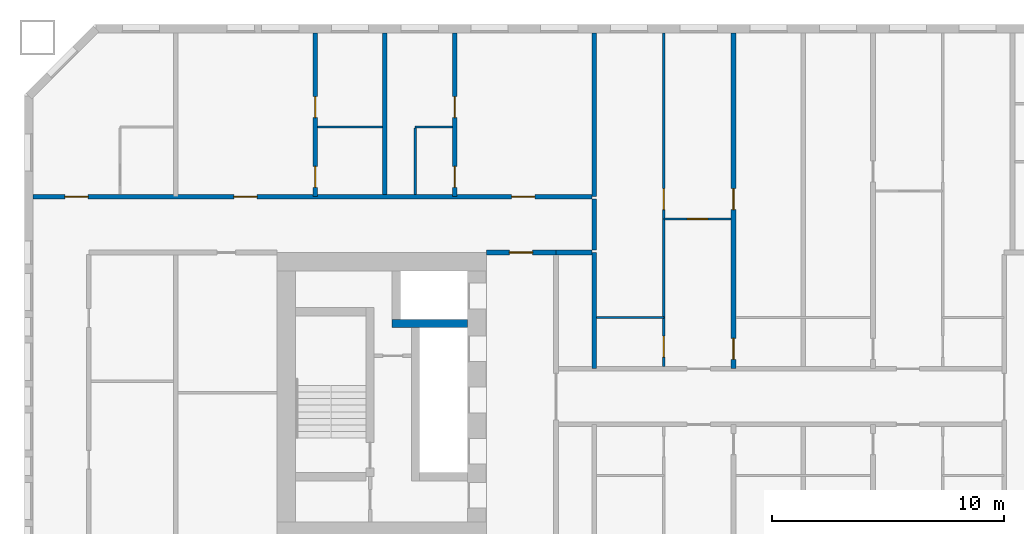
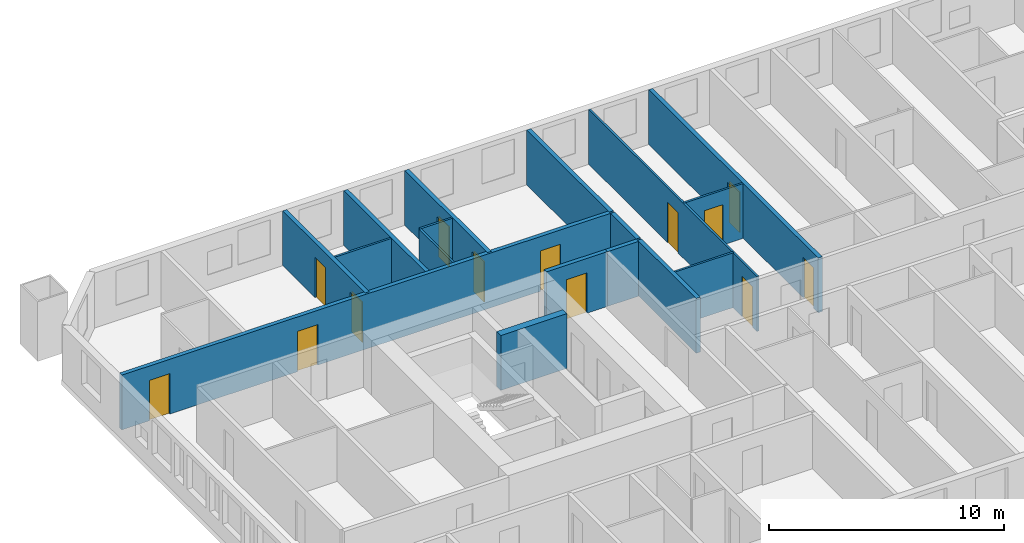
# One storey, part 5 of 17: 17 walls, 13 doors, 13 openings.
"""IFC4 building model written with IfcOpenShell, lengths in metres."""

from ifc_helpers import new_model, si_unit, direction, frame, frame_2d, origin, place, context, subcontext, project, spatial, rectangle, extrude, material, layer, layer_set, type_object, element, fill, save


model = new_model("IFC4")

# Units and contexts
model_context = context("Model", 3, precision=1e-05, world=origin(), true_north=direction((0.0, 1.0)))
body_context = subcontext(model_context, "Body", "Model", "MODEL_VIEW")
ifc_project = project(units=[si_unit("LENGTHUNIT", "METRE"), si_unit("AREAUNIT", "SQUARE_METRE"), si_unit("VOLUMEUNIT", "CUBIC_METRE"), si_unit("PLANEANGLEUNIT", "RADIAN"), si_unit("MASSUNIT", "GRAM", prefix="KILO")], contexts=[model_context])

# Site, building, storey
site_placement = place(None, origin())
site = spatial("IfcSite", under=ifc_project, at=site_placement, CompositionType="ELEMENT")
building_placement = place(site_placement, origin())
building = spatial("IfcBuilding", under=site, at=building_placement, Name="Tuart Gate Housing", CompositionType="ELEMENT")
storey_placement = place(building_placement, frame((0.0, 0.0, 47.39990234375)))
storey = spatial("IfcBuildingStorey", under=building, at=storey_placement, Name="L12", CompositionType="ELEMENT", Elevation=47.39990234375)

# Walls
ifc_material_1 = material(Name="Concrete C60", Category="concrete")
ifc_layer_1 = layer(ifc_material_1, 0.35009765625)
ifc_layer_set_1 = layer_set([ifc_layer_1], Name="Core wall 350 C60")
wall_type_1 = type_object("IfcWallType", Name="Core wall 350 C60", PredefinedType="SHEAR", material=ifc_layer_set_1)
wall_1_placement = place(storey_placement, frame((40.56005859375, 73.14990234375, 0.0), z_axis=(0.0, 0.0, 1.0), x_axis=(-1.0, 0.0, 0.0)))
element("IfcWall", 1, at=wall_1_placement, inside=storey, type_object=wall_type_1, Name="Core wall AK.2", PredefinedType="SHEAR", context=body_context, shape_type="SweptSolid", body=[
    extrude(rectangle(XDim=3.2451171875, YDim=0.35009765625, at=frame_2d((1.62255859375, 0.0))), origin(), (0.0, 0.0, 1.0), 2.85009765625),
])
ifc_material_2 = material(Name="Concrete masonry 15 MPa", Category="masonry")
ifc_layer_2 = layer(ifc_material_2, 0.199951171875)
ifc_layer_set_2 = layer_set([ifc_layer_2], Name="Corridor wall masonry 200")
wall_type_2 = type_object("IfcWallType", Name="Corridor wall masonry 200", PredefinedType="PARTITIONING", material=ifc_layer_set_2)
wall_2_placement = place(storey_placement, frame((44.360107421875, 76.199951171875, 0.0), z_axis=(0.0, 0.0, 1.0), x_axis=(1.0, 0.0, 0.0)))
element("IfcWall", 2, at=wall_2_placement, inside=storey, type_object=wall_type_2, Name="Corridor wall masonry 200", PredefinedType="PARTITIONING", context=body_context, shape_type="SweptSolid", body=[
    extrude(rectangle(XDim=1.539794921875, YDim=0.199951171875, at=frame_2d((0.77001953125, 0.0))), origin(), (0.0, 0.0, 1.0), 2.85009765625),
])

# Wall, openings, doors
wall_3_placement = place(storey_placement, frame((21.860107421875, 78.60009765625, 0.0), z_axis=(0.0, 0.0, 1.0), x_axis=(1.0, 0.0, 0.0)))
wall_3 = element("IfcWall", 3, at=wall_3_placement, inside=storey, type_object=wall_type_2, Name="Corridor wall masonry 200", PredefinedType="PARTITIONING", context=body_context, shape_type="SweptSolid", body=[
    extrude(rectangle(XDim=24.039794921875, YDim=0.199951171875, at=frame_2d((12.02001953125, 0.0))), origin(), (0.0, 0.0, 1.0), 2.85009765625),
])
opening_1_placement = place(wall_3_placement, frame((20.590087890625, 0.0, 0.0)))
opening_1 = element("IfcOpeningElement", 4, at=opening_1_placement, cuts=wall_3, Name="Opening D600", PredefinedType="OPENING", context=body_context, shape_type="SweptSolid", body=[
    extrude(rectangle(XDim=1.0, YDim=2.10009765625, at=frame_2d((0.5, 1.050048828125))), frame((0.0, 0.10986328125, 0.0), z_axis=(0.0, -1.0, 0.0), x_axis=(1.0, 0.0, 0.0)), (0.0, 0.0, 1.0), 0.219970703125),
])
opening_2_placement = place(wall_3_placement, frame((8.639892578125, 0.0, 0.0)))
opening_2 = element("IfcOpeningElement", 5, at=opening_2_placement, cuts=wall_3, Name="Opening D601", PredefinedType="OPENING", context=body_context, shape_type="SweptSolid", body=[
    extrude(rectangle(XDim=1.0, YDim=2.10009765625, at=frame_2d((0.5, 1.050048828125))), frame((0.0, 0.10986328125, 0.0), z_axis=(0.0, -1.0, 0.0), x_axis=(1.0, 0.0, 0.0)), (0.0, 0.0, 1.0), 0.219970703125),
])
opening_3_placement = place(wall_3_placement, frame((1.3701171875, 0.0, 0.0)))
opening_3 = element("IfcOpeningElement", 6, at=opening_3_placement, cuts=wall_3, Name="Opening D602", PredefinedType="OPENING", context=body_context, shape_type="SweptSolid", body=[
    extrude(rectangle(XDim=1.0, YDim=2.10009765625, at=frame_2d((0.5, 1.050048828125))), frame((0.0, 0.10986328125, 0.0), z_axis=(0.0, -1.0, 0.0), x_axis=(1.0, 0.0, 0.0)), (0.0, 0.0, 1.0), 0.219970703125),
])
ifc_material_3 = material(Name="Timber door leaf in steel frame", Category="steel")
door_type_1 = type_object("IfcDoorType", Name="Flat entrance door 1000", OperationType="SINGLE_SWING_LEFT", PredefinedType="DOOR", material=ifc_material_3)
door_1_placement = place(opening_1_placement, origin())
door_1 = element("IfcDoor", 7, at=door_1_placement, inside=storey, type_object=door_type_1, Name="Flat entrance door", OperationType="SINGLE_SWING_LEFT", OverallHeight=2.10009765625, OverallWidth=1.0, PredefinedType="DOOR", context=body_context, shape_type="SweptSolid", body=[
    extrude(rectangle(XDim=1.0, YDim=2.10009765625, at=frame_2d((0.5, 1.050048828125))), frame((0.0, 0.02490234375, 0.0), z_axis=(0.0, -1.0, 0.0), x_axis=(1.0, 0.0, 0.0)), (0.0, 0.0, 1.0), 0.050048828125),
])
fill(opening_1, door_1)
door_2_placement = place(opening_2_placement, origin())
door_2 = element("IfcDoor", 8, at=door_2_placement, inside=storey, type_object=door_type_1, Name="Flat entrance door", OperationType="SINGLE_SWING_LEFT", OverallHeight=2.10009765625, OverallWidth=1.0, PredefinedType="DOOR", context=body_context, shape_type="SweptSolid", body=[
    extrude(rectangle(XDim=1.0, YDim=2.10009765625, at=frame_2d((0.5, 1.050048828125))), frame((0.0, 0.02490234375, 0.0), z_axis=(0.0, -1.0, 0.0), x_axis=(1.0, 0.0, 0.0)), (0.0, 0.0, 1.0), 0.050048828125),
])
fill(opening_2, door_2)
door_3_placement = place(opening_3_placement, origin())
door_3 = element("IfcDoor", 9, at=door_3_placement, inside=storey, type_object=door_type_1, Name="Flat entrance door", OperationType="SINGLE_SWING_LEFT", OverallHeight=2.10009765625, OverallWidth=1.0, PredefinedType="DOOR", context=body_context, shape_type="SweptSolid", body=[
    extrude(rectangle(XDim=1.0, YDim=2.10009765625, at=frame_2d((0.5, 1.050048828125))), frame((0.0, 0.02490234375, 0.0), z_axis=(0.0, -1.0, 0.0), x_axis=(1.0, 0.0, 0.0)), (0.0, 0.0, 1.0), 0.050048828125),
])
fill(opening_3, door_3)

# Wall
wall_4_placement = place(storey_placement, frame((46.0, 76.300048828125, 0.0), z_axis=(0.0, 0.0, 1.0), x_axis=(0.0, 1.0, 0.0)))
element("IfcWall", 10, at=wall_4_placement, inside=storey, type_object=wall_type_2, Name="Corridor wall masonry 200", PredefinedType="PARTITIONING", context=body_context, shape_type="SweptSolid", body=[
    extrude(rectangle(XDim=2.199951171875, YDim=0.199951171875, at=frame_2d((1.10009765625, 0.0))), origin(), (0.0, 0.0, 1.0), 2.85009765625),
])

# Wall, opening, door
ifc_material_4 = material(Name="Concrete masonry 15 MPa", Category="masonry")
ifc_layer_3 = layer(ifc_material_4, 0.199951171875)
ifc_layer_set_3 = layer_set([ifc_layer_3], Name="Enclosure wall masonry 200")
wall_type_3 = type_object("IfcWallType", Name="Enclosure wall masonry 200", PredefinedType="PARTITIONING", material=ifc_layer_set_3)
wall_5_placement = place(storey_placement, frame((41.360107421875, 76.199951171875, 0.0), z_axis=(0.0, 0.0, 1.0), x_axis=(1.0, 0.0, 0.0)))
wall_5 = element("IfcWall", 11, at=wall_5_placement, inside=storey, type_object=wall_type_3, Name="Enclosure wall masonry 200", PredefinedType="PARTITIONING", context=body_context, shape_type="SweptSolid", body=[
    extrude(rectangle(XDim=3.0, YDim=0.199951171875, at=frame_2d((1.5, 0.0))), origin(), (0.0, 0.0, 1.0), 2.85009765625),
])
opening_4_placement = place(wall_5_placement, frame((1.0, 0.0, 0.0)))
opening_4 = element("IfcOpeningElement", 12, at=opening_4_placement, cuts=wall_5, Name="Opening D613", PredefinedType="OPENING", context=body_context, shape_type="SweptSolid", body=[
    extrude(rectangle(XDim=1.0, YDim=2.10009765625, at=frame_2d((0.5, 1.050048828125))), frame((0.0, 0.10986328125, 0.0), z_axis=(0.0, -1.0, 0.0), x_axis=(1.0, 0.0, 0.0)), (0.0, 0.0, 1.0), 0.219970703125),
])
ifc_material_5 = material(Name="Timber door leaf in steel frame", Category="steel")
door_type_2 = type_object("IfcDoorType", Name="Fire door 1000 RH", OperationType="SINGLE_SWING_RIGHT", PredefinedType="DOOR", material=ifc_material_5)
door_4_placement = place(opening_4_placement, origin())
door_4 = element("IfcDoor", 13, at=door_4_placement, inside=storey, type_object=door_type_2, Name="Fire door", OperationType="SINGLE_SWING_RIGHT", OverallHeight=2.10009765625, OverallWidth=1.0, PredefinedType="DOOR", context=body_context, shape_type="SweptSolid", body=[
    extrude(rectangle(XDim=1.0, YDim=2.10009765625, at=frame_2d((0.5, 1.050048828125))), frame((0.0, 0.02490234375, 0.0), z_axis=(0.0, -1.0, 0.0), x_axis=(1.0, 0.0, 0.0)), (0.0, 0.0, 1.0), 0.050048828125),
])
fill(opening_4, door_4)

# Wall
ifc_material_6 = material(Name="Gypsum board on steel studs", Category="steel")
ifc_layer_4 = layer(ifc_material_6, 0.10009765625)
ifc_layer_set_4 = layer_set([ifc_layer_4], Name="Partition 100")
wall_type_4 = type_object("IfcWallType", Name="Partition 100", PredefinedType="PARTITIONING", material=ifc_layer_set_4)
wall_6_placement = place(storey_placement, frame((46.10009765625, 73.39990234375, 0.0), z_axis=(0.0, 0.0, 1.0), x_axis=(1.0, 0.0, 0.0)))
element("IfcWall", 14, at=wall_6_placement, inside=storey, type_object=wall_type_4, Name="Partition 100", PredefinedType="PARTITIONING", context=body_context, shape_type="SweptSolid", body=[
    extrude(rectangle(XDim=2.89990234375, YDim=0.10009765625, at=frame_2d((1.449951171875, 0.0))), origin(), (0.0, 0.0, 1.0), 2.85009765625),
])

# Wall, opening, door
wall_7_placement = place(storey_placement, frame((49.0, 77.639892578125, 0.0), z_axis=(0.0, 0.0, 1.0), x_axis=(1.0, 0.0, 0.0)))
wall_7 = element("IfcWall", 15, at=wall_7_placement, inside=storey, type_object=wall_type_4, Name="Partition 100", PredefinedType="PARTITIONING", context=body_context, shape_type="SweptSolid", body=[
    extrude(rectangle(XDim=2.89990234375, YDim=0.10009765625, at=frame_2d((1.449951171875, 0.0))), origin(), (0.0, 0.0, 1.0), 2.85009765625),
])
opening_5_placement = place(wall_7_placement, frame((1.0, 0.0, 0.0)))
opening_5 = element("IfcOpeningElement", 16, at=opening_5_placement, cuts=wall_7, Name="Opening D611", PredefinedType="OPENING", context=body_context, shape_type="SweptSolid", body=[
    extrude(rectangle(XDim=0.89990234375, YDim=2.10009765625, at=frame_2d((0.449951171875, 1.050048828125))), frame((0.0, 0.06005859375, 0.0), z_axis=(0.0, -1.0, 0.0), x_axis=(1.0, 0.0, 0.0)), (0.0, 0.0, 1.0), 0.1201171875),
])
ifc_material_7 = material(Name="Timber door leaf in steel frame", Category="steel")
door_type_3 = type_object("IfcDoorType", Name="Internal door 900 RH", OperationType="SINGLE_SWING_RIGHT", PredefinedType="DOOR", material=ifc_material_7)
door_5_placement = place(opening_5_placement, frame((0.89990234375, 0.0, 0.0), z_axis=(0.0, 0.0, 1.0), x_axis=(-1.0, 0.0, 0.0)))
door_5 = element("IfcDoor", 17, at=door_5_placement, inside=storey, type_object=door_type_3, Name="Internal door", OperationType="SINGLE_SWING_RIGHT", OverallHeight=2.10009765625, OverallWidth=0.89990234375, PredefinedType="DOOR", context=body_context, shape_type="SweptSolid", body=[
    extrude(rectangle(XDim=0.89990234375, YDim=2.10009765625, at=frame_2d((0.449951171875, 1.050048828125))), frame((0.0, 0.025146484375, 0.0), z_axis=(0.0, -1.0, 0.0), x_axis=(1.0, 0.0, 0.0)), (0.0, 0.0, 1.0), 0.050048828125),
])
fill(opening_5, door_5)

# Walls
wall_8_placement = place(storey_placement, frame((34.10009765625, 81.60009765625, 0.0), z_axis=(0.0, 0.0, 1.0), x_axis=(1.0, 0.0, 0.0)))
element("IfcWall", 18, at=wall_8_placement, inside=storey, type_object=wall_type_4, Name="Partition 100", PredefinedType="PARTITIONING", context=body_context, shape_type="SweptSolid", body=[
    extrude(rectangle(XDim=2.7998046875, YDim=0.10009765625, at=frame_2d((1.39990234375, 0.0))), origin(), (0.0, 0.0, 1.0), 2.85009765625),
])
wall_9_placement = place(storey_placement, frame((38.300048828125, 81.60009765625, 0.0), z_axis=(0.0, 0.0, 1.0), x_axis=(1.0, 0.0, 0.0)))
element("IfcWall", 19, at=wall_9_placement, inside=storey, type_object=wall_type_4, Name="Partition 100", PredefinedType="PARTITIONING", context=body_context, shape_type="SweptSolid", body=[
    extrude(rectangle(XDim=1.599853515625, YDim=0.10009765625, at=frame_2d((0.7998046875, 0.0))), origin(), (0.0, 0.0, 1.0), 2.85009765625),
])
wall_10_placement = place(storey_placement, frame((38.300048828125, 78.699951171875, 0.0), z_axis=(0.0, 0.0, 1.0), x_axis=(0.0, 1.0, 0.0)))
element("IfcWall", 20, at=wall_10_placement, inside=storey, type_object=wall_type_4, Name="Partition 100", PredefinedType="PARTITIONING", context=body_context, shape_type="SweptSolid", body=[
    extrude(rectangle(XDim=2.85009765625, YDim=0.10009765625, at=frame_2d((1.425048828125, 0.0))), origin(), (0.0, 0.0, 1.0), 2.85009765625),
])

# Wall, openings, doors
wall_11_placement = place(storey_placement, frame((49.0, 71.300048828125, 0.0), z_axis=(0.0, 0.0, 1.0), x_axis=(0.0, 1.0, 0.0)))
wall_11 = element("IfcWall", 21, at=wall_11_placement, inside=storey, type_object=wall_type_4, Name="Partition 100", PredefinedType="PARTITIONING", context=body_context, shape_type="SweptSolid", body=[
    extrude(rectangle(XDim=14.33984375, YDim=0.10009765625, at=frame_2d((7.169921875, 0.0))), origin(), (0.0, 0.0, 1.0), 2.85009765625),
])
opening_6_placement = place(wall_11_placement, frame((6.739990234375, 0.0, 0.0)))
opening_6 = element("IfcOpeningElement", 22, at=opening_6_placement, cuts=wall_11, Name="Opening D604", PredefinedType="OPENING", context=body_context, shape_type="SweptSolid", body=[
    extrude(rectangle(XDim=0.89990234375, YDim=2.10009765625, at=frame_2d((0.449951171875, 1.050048828125))), frame((0.0, 0.06005859375, 0.0), z_axis=(0.0, -1.0, 0.0), x_axis=(1.0, 0.0, 0.0)), (0.0, 0.0, 1.0), 0.1201171875),
])
opening_7_placement = place(wall_11_placement, frame((0.39990234375, 0.0, 0.0)))
opening_7 = element("IfcOpeningElement", 23, at=opening_7_placement, cuts=wall_11, Name="Opening D603", PredefinedType="OPENING", context=body_context, shape_type="SweptSolid", body=[
    extrude(rectangle(XDim=0.89990234375, YDim=2.10009765625, at=frame_2d((0.449951171875, 1.050048828125))), frame((0.0, 0.06005859375, 0.0), z_axis=(0.0, -1.0, 0.0), x_axis=(1.0, 0.0, 0.0)), (0.0, 0.0, 1.0), 0.1201171875),
])
ifc_material_8 = material(Name="Timber door leaf in steel frame", Category="steel")
door_type_4 = type_object("IfcDoorType", Name="Bathroom door 900", OperationType="SINGLE_SWING_LEFT", PredefinedType="DOOR", material=ifc_material_8)
door_6_placement = place(opening_7_placement, origin())
door_6 = element("IfcDoor", 24, at=door_6_placement, inside=storey, type_object=door_type_4, Name="Bathroom door", OperationType="SINGLE_SWING_LEFT", OverallHeight=2.10009765625, OverallWidth=0.89990234375, PredefinedType="DOOR", context=body_context, shape_type="SweptSolid", body=[
    extrude(rectangle(XDim=0.89990234375, YDim=2.10009765625, at=frame_2d((0.449951171875, 1.050048828125))), frame((0.0, 0.02490234375, 0.0), z_axis=(0.0, -1.0, 0.0), x_axis=(1.0, 0.0, 0.0)), (0.0, 0.0, 1.0), 0.050048828125),
])
fill(opening_7, door_6)
ifc_material_9 = material(Name="Timber door leaf in steel frame", Category="steel")
door_type_5 = type_object("IfcDoorType", Name="Internal door 900", OperationType="SINGLE_SWING_LEFT", PredefinedType="DOOR", material=ifc_material_9)
door_7_placement = place(opening_6_placement, origin())
door_7 = element("IfcDoor", 25, at=door_7_placement, inside=storey, type_object=door_type_5, Name="Internal door", OperationType="SINGLE_SWING_LEFT", OverallHeight=2.10009765625, OverallWidth=0.89990234375, PredefinedType="DOOR", context=body_context, shape_type="SweptSolid", body=[
    extrude(rectangle(XDim=0.89990234375, YDim=2.10009765625, at=frame_2d((0.449951171875, 1.050048828125))), frame((0.0, 0.02490234375, 0.0), z_axis=(0.0, -1.0, 0.0), x_axis=(1.0, 0.0, 0.0)), (0.0, 0.0, 1.0), 0.050048828125),
])
fill(opening_6, door_7)

ifc_material_10 = material(Name="Concrete C40", Category="concrete")
ifc_layer_5 = layer(ifc_material_10, 0.199951171875)
ifc_layer_set_5 = layer_set([ifc_layer_5], Name="Party wall concrete C40 200")
wall_type_5 = type_object("IfcWallType", Name="Party wall concrete C40 200", PredefinedType="SOLIDWALL", material=ifc_layer_set_5)
wall_12_placement = place(storey_placement, frame((34.0, 78.60009765625, 0.0), z_axis=(0.0, 0.0, 1.0), x_axis=(0.0, 1.0, 0.0)))
wall_12 = element("IfcWall", 26, at=wall_12_placement, inside=storey, type_object=wall_type_5, Name="Party wall concrete C40 200", PredefinedType="SOLIDWALL", context=body_context, shape_type="SweptSolid", body=[
    extrude(rectangle(XDim=7.039794921875, YDim=0.199951171875, at=frame_2d((3.52001953125, 0.0))), origin(), (0.0, 0.0, 1.0), 2.85009765625),
])
opening_8_placement = place(wall_12_placement, frame((3.39990234375, 0.0, 0.0)))
opening_8 = element("IfcOpeningElement", 27, at=opening_8_placement, cuts=wall_12, Name="Opening D591", PredefinedType="OPENING", context=body_context, shape_type="SweptSolid", body=[
    extrude(rectangle(XDim=0.89990234375, YDim=2.10009765625, at=frame_2d((0.449951171875, 1.050048828125))), frame((0.0, 0.10986328125, 0.0), z_axis=(0.0, -1.0, 0.0), x_axis=(1.0, 0.0, 0.0)), (0.0, 0.0, 1.0), 0.219970703125),
])
opening_9_placement = place(wall_12_placement, frame((0.39990234375, 0.0, 0.0)))
opening_9 = element("IfcOpeningElement", 28, at=opening_9_placement, cuts=wall_12, Name="Opening D590", PredefinedType="OPENING", context=body_context, shape_type="SweptSolid", body=[
    extrude(rectangle(XDim=0.89990234375, YDim=2.10009765625, at=frame_2d((0.449951171875, 1.050048828125))), frame((0.0, 0.10986328125, 0.0), z_axis=(0.0, -1.0, 0.0), x_axis=(1.0, 0.0, 0.0)), (0.0, 0.0, 1.0), 0.219970703125),
])
ifc_material_11 = material(Name="Timber door leaf in steel frame", Category="steel")
door_type_6 = type_object("IfcDoorType", Name="Bathroom door 900 RH", OperationType="SINGLE_SWING_RIGHT", PredefinedType="DOOR", material=ifc_material_11)
door_8_placement = place(opening_9_placement, frame((0.89990234375, 0.0, 0.0), z_axis=(0.0, 0.0, 1.0), x_axis=(-1.0, 0.0, 0.0)))
door_8 = element("IfcDoor", 29, at=door_8_placement, inside=storey, type_object=door_type_6, Name="Bathroom door", OperationType="SINGLE_SWING_RIGHT", OverallHeight=2.10009765625, OverallWidth=0.89990234375, PredefinedType="DOOR", context=body_context, shape_type="SweptSolid", body=[
    extrude(rectangle(XDim=0.89990234375, YDim=2.10009765625, at=frame_2d((0.449951171875, 1.050048828125))), frame((0.0, 0.025146484375, 0.0), z_axis=(0.0, -1.0, 0.0), x_axis=(1.0, 0.0, 0.0)), (0.0, 0.0, 1.0), 0.050048828125),
])
fill(opening_9, door_8)
door_9_placement = place(opening_8_placement, frame((0.89990234375, 0.0, 0.0), z_axis=(0.0, 0.0, 1.0), x_axis=(-1.0, 0.0, 0.0)))
door_9 = element("IfcDoor", 30, at=door_9_placement, inside=storey, type_object=door_type_3, Name="Internal door", OperationType="SINGLE_SWING_RIGHT", OverallHeight=2.10009765625, OverallWidth=0.89990234375, PredefinedType="DOOR", context=body_context, shape_type="SweptSolid", body=[
    extrude(rectangle(XDim=0.89990234375, YDim=2.10009765625, at=frame_2d((0.449951171875, 1.050048828125))), frame((0.0, 0.025146484375, 0.0), z_axis=(0.0, -1.0, 0.0), x_axis=(1.0, 0.0, 0.0)), (0.0, 0.0, 1.0), 0.050048828125),
])
fill(opening_8, door_9)

wall_13_placement = place(storey_placement, frame((40.0, 78.60009765625, 0.0), z_axis=(0.0, 0.0, 1.0), x_axis=(0.0, 1.0, 0.0)))
wall_13 = element("IfcWall", 31, at=wall_13_placement, inside=storey, type_object=wall_type_5, Name="Party wall concrete C40 200", PredefinedType="SOLIDWALL", context=body_context, shape_type="SweptSolid", body=[
    extrude(rectangle(XDim=7.039794921875, YDim=0.199951171875, at=frame_2d((3.52001953125, 0.0))), origin(), (0.0, 0.0, 1.0), 2.85009765625),
])
opening_10_placement = place(wall_13_placement, frame((3.39990234375, 0.0, 0.0)))
opening_10 = element("IfcOpeningElement", 32, at=opening_10_placement, cuts=wall_13, Name="Opening D593", PredefinedType="OPENING", context=body_context, shape_type="SweptSolid", body=[
    extrude(rectangle(XDim=0.89990234375, YDim=2.10009765625, at=frame_2d((0.449951171875, 1.050048828125))), frame((0.0, 0.10986328125, 0.0), z_axis=(0.0, -1.0, 0.0), x_axis=(1.0, 0.0, 0.0)), (0.0, 0.0, 1.0), 0.219970703125),
])
opening_11_placement = place(wall_13_placement, frame((0.39990234375, 0.0, 0.0)))
opening_11 = element("IfcOpeningElement", 33, at=opening_11_placement, cuts=wall_13, Name="Opening D592", PredefinedType="OPENING", context=body_context, shape_type="SweptSolid", body=[
    extrude(rectangle(XDim=0.89990234375, YDim=2.10009765625, at=frame_2d((0.449951171875, 1.050048828125))), frame((0.0, 0.10986328125, 0.0), z_axis=(0.0, -1.0, 0.0), x_axis=(1.0, 0.0, 0.0)), (0.0, 0.0, 1.0), 0.219970703125),
])
door_10_placement = place(opening_11_placement, origin())
door_10 = element("IfcDoor", 34, at=door_10_placement, inside=storey, type_object=door_type_4, Name="Bathroom door", OperationType="SINGLE_SWING_LEFT", OverallHeight=2.10009765625, OverallWidth=0.89990234375, PredefinedType="DOOR", context=body_context, shape_type="SweptSolid", body=[
    extrude(rectangle(XDim=0.89990234375, YDim=2.10009765625, at=frame_2d((0.449951171875, 1.050048828125))), frame((0.0, 0.02490234375, 0.0), z_axis=(0.0, -1.0, 0.0), x_axis=(1.0, 0.0, 0.0)), (0.0, 0.0, 1.0), 0.050048828125),
])
fill(opening_11, door_10)
door_11_placement = place(opening_10_placement, origin())
door_11 = element("IfcDoor", 35, at=door_11_placement, inside=storey, type_object=door_type_5, Name="Internal door", OperationType="SINGLE_SWING_LEFT", OverallHeight=2.10009765625, OverallWidth=0.89990234375, PredefinedType="DOOR", context=body_context, shape_type="SweptSolid", body=[
    extrude(rectangle(XDim=0.89990234375, YDim=2.10009765625, at=frame_2d((0.449951171875, 1.050048828125))), frame((0.0, 0.02490234375, 0.0), z_axis=(0.0, -1.0, 0.0), x_axis=(1.0, 0.0, 0.0)), (0.0, 0.0, 1.0), 0.050048828125),
])
fill(opening_10, door_11)

# Walls
wall_14_placement = place(storey_placement, frame((46.0, 71.199951171875, 0.0), z_axis=(0.0, 0.0, 1.0), x_axis=(0.0, 1.0, 0.0)))
element("IfcWall", 36, at=wall_14_placement, inside=storey, type_object=wall_type_5, Name="Party wall concrete C40 200", PredefinedType="SOLIDWALL", context=body_context, shape_type="SweptSolid", body=[
    extrude(rectangle(XDim=5.0, YDim=0.199951171875, at=frame_2d((2.5, 0.0))), origin(), (0.0, 0.0, 1.0), 2.85009765625),
])
wall_15_placement = place(storey_placement, frame((46.0, 78.60009765625, 0.0), z_axis=(0.0, 0.0, 1.0), x_axis=(0.0, 1.0, 0.0)))
element("IfcWall", 37, at=wall_15_placement, inside=storey, type_object=wall_type_5, Name="Party wall concrete C40 200", PredefinedType="SOLIDWALL", context=body_context, shape_type="SweptSolid", body=[
    extrude(rectangle(XDim=7.039794921875, YDim=0.199951171875, at=frame_2d((3.52001953125, 0.0))), origin(), (0.0, 0.0, 1.0), 2.85009765625),
])

# Wall, openings, doors
wall_16_placement = place(storey_placement, frame((52.0, 71.199951171875, 0.0), z_axis=(0.0, 0.0, 1.0), x_axis=(0.0, 1.0, 0.0)))
wall_16 = element("IfcWall", 38, at=wall_16_placement, inside=storey, type_object=wall_type_5, Name="Party wall concrete C40 200", PredefinedType="SOLIDWALL", context=body_context, shape_type="SweptSolid", body=[
    extrude(rectangle(XDim=14.43994140625, YDim=0.199951171875, at=frame_2d((7.219970703125, 0.0))), origin(), (0.0, 0.0, 1.0), 2.85009765625),
])
opening_12_placement = place(wall_16_placement, frame((6.840087890625, 0.0, 0.0)))
opening_12 = element("IfcOpeningElement", 39, at=opening_12_placement, cuts=wall_16, Name="Opening D608", PredefinedType="OPENING", context=body_context, shape_type="SweptSolid", body=[
    extrude(rectangle(XDim=0.89990234375, YDim=2.10009765625, at=frame_2d((0.449951171875, 1.050048828125))), frame((0.0, 0.10986328125, 0.0), z_axis=(0.0, -1.0, 0.0), x_axis=(1.0, 0.0, 0.0)), (0.0, 0.0, 1.0), 0.219970703125),
])
opening_13_placement = place(wall_16_placement, frame((0.39990234375, 0.0, 0.0)))
opening_13 = element("IfcOpeningElement", 40, at=opening_13_placement, cuts=wall_16, Name="Opening D607", PredefinedType="OPENING", context=body_context, shape_type="SweptSolid", body=[
    extrude(rectangle(XDim=0.89990234375, YDim=2.10009765625, at=frame_2d((0.449951171875, 1.050048828125))), frame((0.0, 0.10986328125, 0.0), z_axis=(0.0, -1.0, 0.0), x_axis=(1.0, 0.0, 0.0)), (0.0, 0.0, 1.0), 0.219970703125),
])
door_12_placement = place(opening_13_placement, frame((0.89990234375, 0.0, 0.0), z_axis=(0.0, 0.0, 1.0), x_axis=(-1.0, 0.0, 0.0)))
door_12 = element("IfcDoor", 41, at=door_12_placement, inside=storey, type_object=door_type_6, Name="Bathroom door", OperationType="SINGLE_SWING_RIGHT", OverallHeight=2.10009765625, OverallWidth=0.89990234375, PredefinedType="DOOR", context=body_context, shape_type="SweptSolid", body=[
    extrude(rectangle(XDim=0.89990234375, YDim=2.10009765625, at=frame_2d((0.449951171875, 1.050048828125))), frame((0.0, 0.025146484375, 0.0), z_axis=(0.0, -1.0, 0.0), x_axis=(1.0, 0.0, 0.0)), (0.0, 0.0, 1.0), 0.050048828125),
])
fill(opening_13, door_12)
door_13_placement = place(opening_12_placement, frame((0.89990234375, 0.0, 0.0), z_axis=(0.0, 0.0, 1.0), x_axis=(-1.0, 0.0, 0.0)))
door_13 = element("IfcDoor", 42, at=door_13_placement, inside=storey, type_object=door_type_3, Name="Internal door", OperationType="SINGLE_SWING_RIGHT", OverallHeight=2.10009765625, OverallWidth=0.89990234375, PredefinedType="DOOR", context=body_context, shape_type="SweptSolid", body=[
    extrude(rectangle(XDim=0.89990234375, YDim=2.10009765625, at=frame_2d((0.449951171875, 1.050048828125))), frame((0.0, 0.025146484375, 0.0), z_axis=(0.0, -1.0, 0.0), x_axis=(1.0, 0.0, 0.0)), (0.0, 0.0, 1.0), 0.050048828125),
])
fill(opening_12, door_13)

# Wall
ifc_material_12 = material(Name="Concrete masonry 15 MPa", Category="masonry")
ifc_layer_6 = layer(ifc_material_12, 0.199951171875)
ifc_layer_set_6 = layer_set([ifc_layer_6], Name="Party wall masonry 200")
wall_type_6 = type_object("IfcWallType", Name="Party wall masonry 200", PredefinedType="PARTITIONING", material=ifc_layer_set_6)
wall_17_placement = place(storey_placement, frame((37.0, 78.699951171875, 0.0), z_axis=(0.0, 0.0, 1.0), x_axis=(0.0, 1.0, 0.0)))
element("IfcWall", 43, at=wall_17_placement, inside=storey, type_object=wall_type_6, Name="Party wall masonry 200", PredefinedType="PARTITIONING", context=body_context, shape_type="SweptSolid", body=[
    extrude(rectangle(XDim=6.93994140625, YDim=0.199951171875, at=frame_2d((3.469970703125, 0.0))), origin(), (0.0, 0.0, 1.0), 2.85009765625),
])

save(model, "model.ifc")
